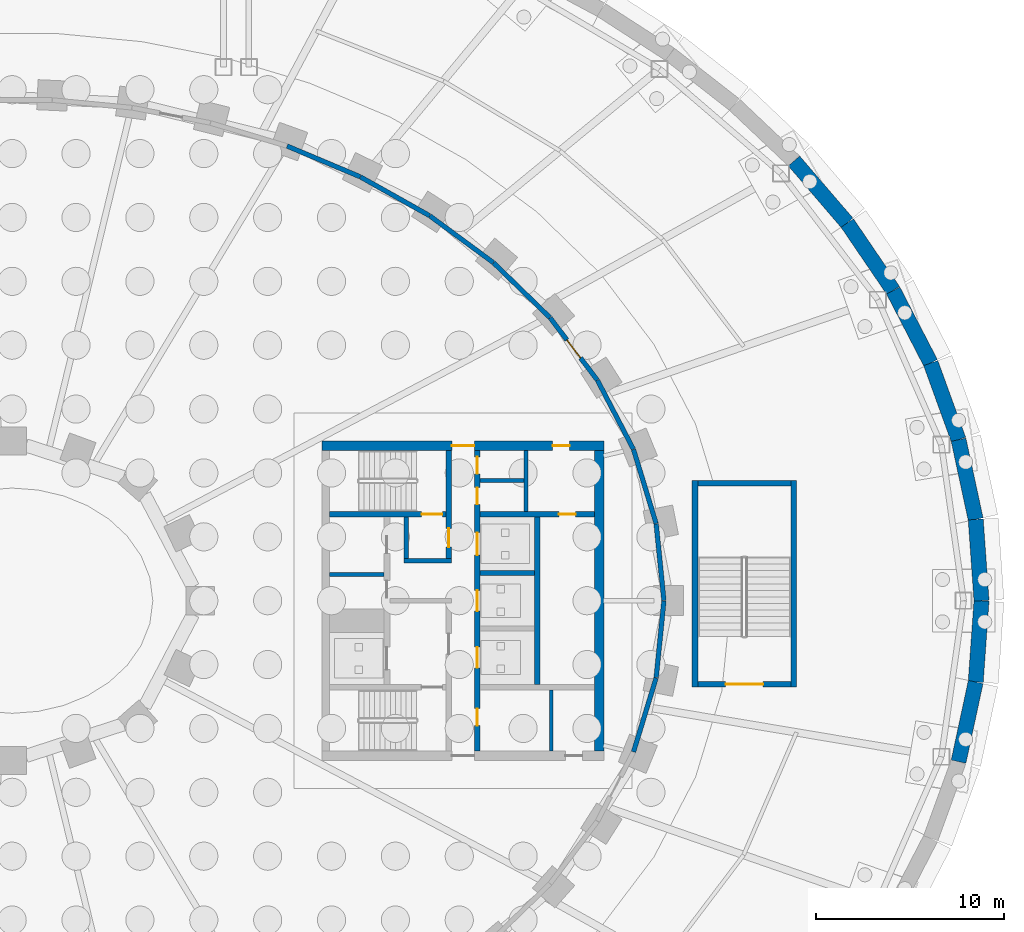
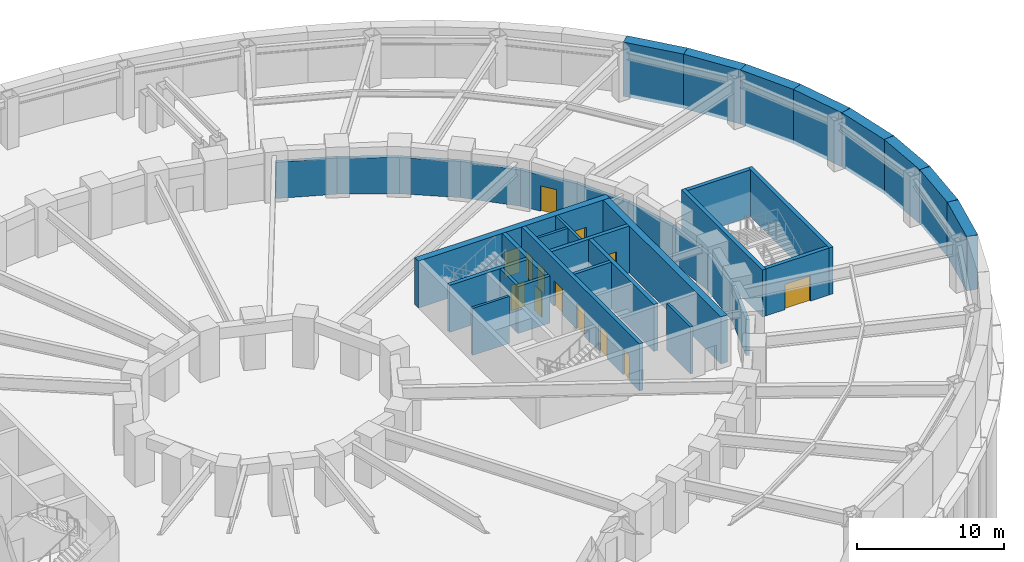
# One storey, part 14 of 19: 36 walls, 13 doors, 13 openings.
"""IFC4 building model written with IfcOpenShell, lengths in metres."""

from ifc_helpers import new_model, si_unit, direction, frame, frame_2d, origin, place, context, subcontext, project, spatial, rectangle, extrude, material, layer, layer_set, type_object, element, fill, save


model = new_model("IFC4")

# Units and contexts
model_context = context("Model", 3, precision=1e-05, world=origin(), true_north=direction((0.0, 1.0)))
body_context = subcontext(model_context, "Body", "Model", "MODEL_VIEW")
ifc_project = project(units=[si_unit("LENGTHUNIT", "METRE"), si_unit("AREAUNIT", "SQUARE_METRE"), si_unit("VOLUMEUNIT", "CUBIC_METRE"), si_unit("PLANEANGLEUNIT", "RADIAN"), si_unit("MASSUNIT", "GRAM", prefix="KILO")], contexts=[model_context])

# Site, building, storey
site_placement = place(None, origin())
site = spatial("IfcSite", under=ifc_project, at=site_placement, CompositionType="ELEMENT")
building_placement = place(site_placement, origin())
building = spatial("IfcBuilding", under=site, at=building_placement, Name="Noorbagh Ring Tower", CompositionType="ELEMENT")
storey_placement = place(building_placement, frame((0.0, 0.0, -8.39990234375)))
storey = spatial("IfcBuildingStorey", under=building, at=storey_placement, Name="B2", CompositionType="ELEMENT", Elevation=-8.39990234375)

# Walls
ifc_material_1 = material(Name="Gypsum board on steel studs", Category="steel")
ifc_layer_1 = layer(ifc_material_1, 0.199951171875)
ifc_layer_set_1 = layer_set([ifc_layer_1], Name="Gypsum board on steel studs")
wall_type_1 = type_object("IfcWallType", Name="CORE-PARTITION-200", PredefinedType="PARTITIONING", material=ifc_layer_set_1)
wall_1_placement = place(storey_placement, frame((16.89990234375, 1.39990234375, 0.0), z_axis=(0.0, 0.0, 1.0), x_axis=(1.0, 0.0, 0.0)))
element("IfcWall", 1, at=wall_1_placement, inside=storey, type_object=wall_type_1, Name="Core partition E", PredefinedType="PARTITIONING", context=body_context, shape_type="SweptSolid", body=[
    extrude(rectangle(XDim=2.900146484375, YDim=0.199951171875, at=frame_2d((1.4501953125, 0.0))), origin(), (0.0, 0.0, 1.0), 3.89990234375),
])
for number, where, z_axis, x_axis, name in (
    (2, (27.35009765625, 4.75, 0.0), (0.0, 0.0, 1.0), (0.0, 1.0, 0.0), "Core partition E"),
    (3, (28.699951171875, -8.0, 0.0), (0.0, 0.0, 1.0), (0.0, 1.0, 0.0), "Core partition E"),
):
    element("IfcWall", number, at=place(storey_placement, frame(where, z_axis=z_axis, x_axis=x_axis)), inside=storey, type_object=wall_type_1, Name=name, PredefinedType="PARTITIONING", context=body_context, shape_type="SweptSolid", body=[
        extrude(rectangle(XDim=3.25, YDim=0.199951171875, at=frame_2d((1.625, 0.0))), origin(), (0.0, 0.0, 1.0), 3.89990234375),
    ])
wall_2_placement = place(storey_placement, frame((24.89990234375, 6.39990234375, 0.0), z_axis=(0.0, 0.0, 1.0), x_axis=(1.0, 0.0, 0.0)))
element("IfcWall", 4, at=wall_2_placement, inside=storey, type_object=wall_type_1, Name="Core partition E", PredefinedType="PARTITIONING", context=body_context, shape_type="SweptSolid", body=[
    extrude(rectangle(XDim=2.35009765625, YDim=0.199951171875, at=frame_2d((1.175048828125, 0.0))), origin(), (0.0, 0.0, 1.0), 3.89990234375),
])
ifc_material_2 = material(Name="Concrete C70/85", Category="concrete")
ifc_layer_2 = layer(ifc_material_2, 0.25)
ifc_layer_set_2 = layer_set([ifc_layer_2], Name="Concrete C70/85")
wall_type_2 = type_object("IfcWallType", Name="CORE-WALL-250-C70-85-EI120", PredefinedType="SHEAR", material=ifc_layer_set_2)
wall_3_placement = place(storey_placement, frame((24.89990234375, 1.47509765625, 0.0), z_axis=(0.0, 0.0, 1.0), x_axis=(1.0, 0.0, 0.0)))
element("IfcWall", 5, at=wall_3_placement, inside=storey, type_object=wall_type_2, Name="Core wall E", PredefinedType="SHEAR", context=body_context, shape_type="SweptSolid", body=[
    extrude(rectangle(XDim=2.900146484375, YDim=0.25, at=frame_2d((1.4501953125, 0.0))), origin(), (0.0, 0.0, 1.0), 3.89990234375),
])
ifc_material_3 = material(Name="Concrete C70/85", Category="concrete")
ifc_layer_3 = layer(ifc_material_3, 0.25)
ifc_layer_set_3 = layer_set([ifc_layer_3], Name="Concrete C70/85")
wall_type_3 = type_object("IfcWallType", Name="CORE-WALL-250-C70-85-EI240", PredefinedType="SHEAR", material=ifc_layer_set_3)
wall_4_placement = place(storey_placement, frame((20.85009765625, 2.125, 0.0), z_axis=(0.0, 0.0, 1.0), x_axis=(1.0, 0.0, 0.0)))
element("IfcWall", 6, at=wall_4_placement, inside=storey, type_object=wall_type_3, Name="Core wall E", PredefinedType="SHEAR", context=body_context, shape_type="SweptSolid", body=[
    extrude(rectangle(XDim=2.52978515625, YDim=0.25, at=frame_2d((1.264892578125, 0.0))), origin(), (0.0, 0.0, 1.0), 3.89990234375),
])
wall_5_placement = place(storey_placement, frame((20.97509765625, 2.25, 0.0), z_axis=(0.0, 0.0, 1.0), x_axis=(0.0, 1.0, 0.0)))
element("IfcWall", 7, at=wall_5_placement, inside=storey, type_object=wall_type_3, Name="Core wall E", PredefinedType="SHEAR", context=body_context, shape_type="SweptSolid", body=[
    extrude(rectangle(XDim=2.199951171875, YDim=0.25, at=frame_2d((1.10009765625, 0.0))), origin(), (0.0, 0.0, 1.0), 3.89990234375),
])
ifc_material_4 = material(Name="Concrete C70/85", Category="concrete")
ifc_layer_4 = layer(ifc_material_4, 0.300048828125)
ifc_layer_set_4 = layer_set([ifc_layer_4], Name="Concrete C70/85")
wall_type_4 = type_object("IfcWallType", Name="CORE-WALL-300-C70-85-EI120", PredefinedType="SHEAR", material=ifc_layer_set_4)
wall_6_placement = place(storey_placement, frame((27.949951171875, -4.449951171875, 0.0), z_axis=(0.0, 0.0, 1.0), x_axis=(0.0, 1.0, 0.0)))
element("IfcWall", 8, at=wall_6_placement, inside=storey, type_object=wall_type_4, Name="Core wall E", PredefinedType="SHEAR", context=body_context, shape_type="SweptSolid", body=[
    extrude(rectangle(XDim=8.89990234375, YDim=0.300048828125, at=frame_2d((4.449951171875, 0.0))), origin(), (0.0, 0.0, 1.0), 3.89990234375),
])

# Wall, openings, doors
wall_7_placement = place(storey_placement, frame((24.75, -8.0, 0.0), z_axis=(0.0, 0.0, 1.0), x_axis=(0.0, 1.0, 0.0)))
wall_7 = element("IfcWall", 9, at=wall_7_placement, inside=storey, type_object=wall_type_4, Name="Core wall E", PredefinedType="SHEAR", context=body_context, shape_type="SweptSolid", body=[
    extrude(rectangle(XDim=16.0, YDim=0.300048828125, at=frame_2d((8.0, 0.0))), origin(), (0.0, 0.0, 1.0), 3.89990234375),
])
opening_1_placement = place(wall_7_placement, frame((4.425048828125, 0.0, 0.0)))
opening_1 = element("IfcOpeningElement", 10, at=opening_1_placement, cuts=wall_7, Name="Opening B2-CE02", PredefinedType="OPENING", context=body_context, shape_type="SweptSolid", body=[
    extrude(rectangle(XDim=1.10009765625, YDim=2.10009765625, at=frame_2d((0.550048828125, 1.050048828125))), frame((0.0, 0.16015625, 0.0), z_axis=(0.0, -1.0, 0.0), x_axis=(1.0, 0.0, 0.0)), (0.0, 0.0, 1.0), 0.320068359375),
])
opening_2_placement = place(wall_7_placement, frame((7.449951171875, 0.0, 0.0)))
opening_2 = element("IfcOpeningElement", 11, at=opening_2_placement, cuts=wall_7, Name="Opening B2-CE03", PredefinedType="OPENING", context=body_context, shape_type="SweptSolid", body=[
    extrude(rectangle(XDim=1.10009765625, YDim=2.10009765625, at=frame_2d((0.550048828125, 1.050048828125))), frame((0.0, 0.16015625, 0.0), z_axis=(0.0, -1.0, 0.0), x_axis=(1.0, 0.0, 0.0)), (0.0, 0.0, 1.0), 0.320068359375),
])
opening_3_placement = place(wall_7_placement, frame((10.425048828125, 0.0, 0.0)))
opening_3 = element("IfcOpeningElement", 12, at=opening_3_placement, cuts=wall_7, Name="Opening B2-CE04", PredefinedType="OPENING", context=body_context, shape_type="SweptSolid", body=[
    extrude(rectangle(XDim=1.199951171875, YDim=2.10009765625, at=frame_2d((0.60009765625, 1.050048828125))), frame((0.0, 0.16015625, 0.0), z_axis=(0.0, -1.0, 0.0), x_axis=(1.0, 0.0, 0.0)), (0.0, 0.0, 1.0), 0.320068359375),
])
opening_4_placement = place(wall_7_placement, frame((13.125, 0.0, 0.0)))
opening_4 = element("IfcOpeningElement", 13, at=opening_4_placement, cuts=wall_7, Name="Opening B2-CE13", PredefinedType="OPENING", context=body_context, shape_type="SweptSolid", body=[
    extrude(rectangle(XDim=0.89990234375, YDim=2.10009765625, at=frame_2d((0.449951171875, 1.050048828125))), frame((0.0, 0.16015625, 0.0), z_axis=(0.0, -1.0, 0.0), x_axis=(1.0, 0.0, 0.0)), (0.0, 0.0, 1.0), 0.320068359375),
])
opening_5_placement = place(wall_7_placement, frame((14.75, 0.0, 0.0)))
opening_5 = element("IfcOpeningElement", 14, at=opening_5_placement, cuts=wall_7, Name="Opening B2-CE14", PredefinedType="OPENING", context=body_context, shape_type="SweptSolid", body=[
    extrude(rectangle(XDim=0.89990234375, YDim=2.10009765625, at=frame_2d((0.449951171875, 1.050048828125))), frame((0.0, 0.16015625, 0.0), z_axis=(0.0, -1.0, 0.0), x_axis=(1.0, 0.0, 0.0)), (0.0, 0.0, 1.0), 0.320068359375),
])
opening_6_placement = place(wall_7_placement, frame((1.35009765625, 0.0, 0.0)))
opening_6 = element("IfcOpeningElement", 15, at=opening_6_placement, cuts=wall_7, Name="Opening B2-CE16", PredefinedType="OPENING", context=body_context, shape_type="SweptSolid", body=[
    extrude(rectangle(XDim=0.89990234375, YDim=2.10009765625, at=frame_2d((0.449951171875, 1.050048828125))), frame((0.0, 0.16015625, 0.0), z_axis=(0.0, -1.0, 0.0), x_axis=(1.0, 0.0, 0.0)), (0.0, 0.0, 1.0), 0.320068359375),
])
ifc_material_5 = material(Name="Steel door leaf", Category="steel")
door_type_1 = type_object("IfcDoorType", Name="CORE-DOOR-DROOM", OperationType="SINGLE_SWING_LEFT", PredefinedType="DOOR", material=ifc_material_5)
door_1_placement = place(opening_4_placement, origin())
door_1 = element("IfcDoor", 16, at=door_1_placement, inside=storey, type_object=door_type_1, Name="Core room door B2-CE13", OperationType="SINGLE_SWING_RIGHT", OverallHeight=2.10009765625, OverallWidth=0.89990234375, PredefinedType="DOOR", context=body_context, shape_type="SweptSolid", body=[
    extrude(rectangle(XDim=0.89990234375, YDim=2.10009765625, at=frame_2d((0.449951171875, 1.050048828125))), frame((0.0, 0.02490234375, 0.0), z_axis=(0.0, -1.0, 0.0), x_axis=(1.0, 0.0, 0.0)), (0.0, 0.0, 1.0), 0.050048828125),
])
fill(opening_4, door_1)
door_2_placement = place(opening_5_placement, origin())
door_2 = element("IfcDoor", 17, at=door_2_placement, inside=storey, type_object=door_type_1, Name="Core room door B2-CE14", OperationType="SINGLE_SWING_LEFT", OverallHeight=2.10009765625, OverallWidth=0.89990234375, PredefinedType="DOOR", context=body_context, shape_type="SweptSolid", body=[
    extrude(rectangle(XDim=0.89990234375, YDim=2.10009765625, at=frame_2d((0.449951171875, 1.050048828125))), frame((0.0, 0.02490234375, 0.0), z_axis=(0.0, -1.0, 0.0), x_axis=(1.0, 0.0, 0.0)), (0.0, 0.0, 1.0), 0.050048828125),
])
fill(opening_5, door_2)
door_3_placement = place(opening_6_placement, origin())
door_3 = element("IfcDoor", 18, at=door_3_placement, inside=storey, type_object=door_type_1, Name="Core room door B2-CE16", OperationType="SINGLE_SWING_RIGHT", OverallHeight=2.10009765625, OverallWidth=0.89990234375, PredefinedType="DOOR", context=body_context, shape_type="SweptSolid", body=[
    extrude(rectangle(XDim=0.89990234375, YDim=2.10009765625, at=frame_2d((0.449951171875, 1.050048828125))), frame((0.0, 0.02490234375, 0.0), z_axis=(0.0, -1.0, 0.0), x_axis=(1.0, 0.0, 0.0)), (0.0, 0.0, 1.0), 0.050048828125),
])
fill(opening_6, door_3)
ifc_material_6 = material(Name="Steel door leaf", Category="steel")
door_type_2 = type_object("IfcDoorType", Name="CORE-DOOR-LD", OperationType="DOUBLE_DOOR_SLIDING", PredefinedType="DOOR", material=ifc_material_6)
door_4_placement = place(opening_1_placement, origin())
door_4 = element("IfcDoor", 19, at=door_4_placement, inside=storey, type_object=door_type_2, Name="Landing door LR3 B2-CE02", OperationType="DOUBLE_DOOR_SLIDING", OverallHeight=2.10009765625, OverallWidth=1.10009765625, PredefinedType="DOOR", context=body_context, shape_type="SweptSolid", body=[
    extrude(rectangle(XDim=1.10009765625, YDim=2.10009765625, at=frame_2d((0.550048828125, 1.050048828125))), frame((0.0, 0.02490234375, 0.0), z_axis=(0.0, -1.0, 0.0), x_axis=(1.0, 0.0, 0.0)), (0.0, 0.0, 1.0), 0.050048828125),
])
fill(opening_1, door_4)
door_5_placement = place(opening_2_placement, origin())
door_5 = element("IfcDoor", 20, at=door_5_placement, inside=storey, type_object=door_type_2, Name="Landing door LR4 B2-CE03", OperationType="DOUBLE_DOOR_SLIDING", OverallHeight=2.10009765625, OverallWidth=1.10009765625, PredefinedType="DOOR", context=body_context, shape_type="SweptSolid", body=[
    extrude(rectangle(XDim=1.10009765625, YDim=2.10009765625, at=frame_2d((0.550048828125, 1.050048828125))), frame((0.0, 0.02490234375, 0.0), z_axis=(0.0, -1.0, 0.0), x_axis=(1.0, 0.0, 0.0)), (0.0, 0.0, 1.0), 0.050048828125),
])
fill(opening_2, door_5)
ifc_material_7 = material(Name="Steel door leaf", Category="steel")
door_type_3 = type_object("IfcDoorType", Name="CORE-DOOR-LDW", OperationType="DOUBLE_DOOR_SLIDING", PredefinedType="DOOR", material=ifc_material_7)
door_6_placement = place(opening_3_placement, origin())
door_6 = element("IfcDoor", 21, at=door_6_placement, inside=storey, type_object=door_type_3, Name="Landing door SV2 B2-CE04", OperationType="DOUBLE_DOOR_SLIDING", OverallHeight=2.10009765625, OverallWidth=1.199951171875, PredefinedType="DOOR", context=body_context, shape_type="SweptSolid", body=[
    extrude(rectangle(XDim=1.199951171875, YDim=2.10009765625, at=frame_2d((0.60009765625, 1.050048828125))), frame((0.0, 0.02490234375, 0.0), z_axis=(0.0, -1.0, 0.0), x_axis=(1.0, 0.0, 0.0)), (0.0, 0.0, 1.0), 0.050048828125),
])
fill(opening_3, door_6)

# Wall, opening, door
ifc_material_8 = material(Name="Concrete C70/85", Category="concrete")
ifc_layer_5 = layer(ifc_material_8, 0.300048828125)
ifc_layer_set_5 = layer_set([ifc_layer_5], Name="Concrete C70/85")
wall_type_5 = type_object("IfcWallType", Name="CORE-WALL-300-C70-85-EI240", PredefinedType="SHEAR", material=ifc_layer_set_5)
wall_8_placement = place(storey_placement, frame((24.89990234375, 4.60009765625, 0.0), z_axis=(0.0, 0.0, 1.0), x_axis=(1.0, 0.0, 0.0)))
wall_8 = element("IfcWall", 22, at=wall_8_placement, inside=storey, type_object=wall_type_5, Name="Core wall E", PredefinedType="SHEAR", context=body_context, shape_type="SweptSolid", body=[
    extrude(rectangle(XDim=6.10009765625, YDim=0.300048828125, at=frame_2d((3.050048828125, 0.0))), origin(), (0.0, 0.0, 1.0), 3.89990234375),
])
opening_7_placement = place(wall_8_placement, frame((4.199951171875, 0.0, 0.0)))
opening_7 = element("IfcOpeningElement", 23, at=opening_7_placement, cuts=wall_8, Name="Opening B2-CE18", PredefinedType="OPENING", context=body_context, shape_type="SweptSolid", body=[
    extrude(rectangle(XDim=0.89990234375, YDim=2.10009765625, at=frame_2d((0.449951171875, 1.050048828125))), frame((0.0, 0.16015625, 0.0), z_axis=(0.0, -1.0, 0.0), x_axis=(1.0, 0.0, 0.0)), (0.0, 0.0, 1.0), 0.320068359375),
])
door_7_placement = place(opening_7_placement, origin())
door_7 = element("IfcDoor", 24, at=door_7_placement, inside=storey, type_object=door_type_1, Name="Core room door B2-CE18", OperationType="SINGLE_SWING_RIGHT", OverallHeight=2.10009765625, OverallWidth=0.89990234375, PredefinedType="DOOR", context=body_context, shape_type="SweptSolid", body=[
    extrude(rectangle(XDim=0.89990234375, YDim=2.10009765625, at=frame_2d((0.449951171875, 1.050048828125))), frame((0.0, 0.02490234375, 0.0), z_axis=(0.0, -1.0, 0.0), x_axis=(1.0, 0.0, 0.0)), (0.0, 0.0, 1.0), 0.050048828125),
])
fill(opening_7, door_7)

wall_9_placement = place(storey_placement, frame((23.22998046875, 2.25, 0.0), z_axis=(0.0, 0.0, 1.0), x_axis=(0.0, 1.0, 0.0)))
wall_9 = element("IfcWall", 25, at=wall_9_placement, inside=storey, type_object=wall_type_5, Name="Core wall E", PredefinedType="SHEAR", context=body_context, shape_type="SweptSolid", body=[
    extrude(rectangle(XDim=5.75, YDim=0.300048828125, at=frame_2d((2.875, 0.0))), origin(), (0.0, 0.0, 1.0), 3.89990234375),
])
opening_8_placement = place(wall_9_placement, frame((0.60009765625, 0.0, 0.0)))
opening_8 = element("IfcOpeningElement", 26, at=opening_8_placement, cuts=wall_9, Name="Opening B2-CE08", PredefinedType="OPENING", context=body_context, shape_type="SweptSolid", body=[
    extrude(rectangle(XDim=1.0, YDim=2.10009765625, at=frame_2d((0.5, 1.050048828125))), frame((0.0, 0.16015625, 0.0), z_axis=(0.0, -1.0, 0.0), x_axis=(1.0, 0.0, 0.0)), (0.0, 0.0, 1.0), 0.320068359375),
])
ifc_material_9 = material(Name="Steel door leaf", Category="steel")
door_type_4 = type_object("IfcDoorType", Name="CORE-DOOR-DVEST", OperationType="SINGLE_SWING_LEFT", PredefinedType="DOOR", material=ifc_material_9)
door_8_placement = place(opening_8_placement, origin())
door_8 = element("IfcDoor", 27, at=door_8_placement, inside=storey, type_object=door_type_4, Name="Stair vestibule door B2-CE08", OperationType="SINGLE_SWING_RIGHT", OverallHeight=2.10009765625, OverallWidth=1.0, PredefinedType="DOOR", context=body_context, shape_type="SweptSolid", body=[
    extrude(rectangle(XDim=1.0, YDim=2.10009765625, at=frame_2d((0.5, 1.050048828125))), frame((0.0, 0.02490234375, 0.0), z_axis=(0.0, -1.0, 0.0), x_axis=(1.0, 0.0, 0.0)), (0.0, 0.0, 1.0), 0.050048828125),
])
fill(opening_8, door_8)

wall_10_placement = place(storey_placement, frame((16.89990234375, 4.60009765625, 0.0), z_axis=(0.0, 0.0, 1.0), x_axis=(1.0, 0.0, 0.0)))
wall_10 = element("IfcWall", 28, at=wall_10_placement, inside=storey, type_object=wall_type_5, Name="Core wall E", PredefinedType="SHEAR", context=body_context, shape_type="SweptSolid", body=[
    extrude(rectangle(XDim=6.18017578125, YDim=0.300048828125, at=frame_2d((3.090087890625, 0.0))), origin(), (0.0, 0.0, 1.0), 3.89990234375),
])
opening_9_placement = place(wall_10_placement, frame((4.89990234375, 0.0, 0.0)))
opening_9 = element("IfcOpeningElement", 29, at=opening_9_placement, cuts=wall_10, Name="Opening B2-CE05", PredefinedType="OPENING", context=body_context, shape_type="SweptSolid", body=[
    extrude(rectangle(XDim=1.10009765625, YDim=2.10009765625, at=frame_2d((0.550048828125, 1.050048828125))), frame((0.0, 0.16015625, 0.0), z_axis=(0.0, -1.0, 0.0), x_axis=(1.0, 0.0, 0.0)), (0.0, 0.0, 1.0), 0.320068359375),
])
ifc_material_10 = material(Name="Steel door leaf", Category="steel")
door_type_5 = type_object("IfcDoorType", Name="CORE-DOOR-DSTAIR", OperationType="SINGLE_SWING_LEFT", PredefinedType="DOOR", material=ifc_material_10)
door_9_placement = place(opening_9_placement, origin())
door_9 = element("IfcDoor", 30, at=door_9_placement, inside=storey, type_object=door_type_5, Name="Stair door ST3 B2-CE05", OperationType="SINGLE_SWING_LEFT", OverallHeight=2.10009765625, OverallWidth=1.10009765625, PredefinedType="DOOR", context=body_context, shape_type="SweptSolid", body=[
    extrude(rectangle(XDim=1.10009765625, YDim=2.10009765625, at=frame_2d((0.550048828125, 1.050048828125))), frame((0.0, 0.02490234375, 0.0), z_axis=(0.0, -1.0, 0.0), x_axis=(1.0, 0.0, 0.0)), (0.0, 0.0, 1.0), 0.050048828125),
])
fill(opening_9, door_9)

# Wall, openings, doors
ifc_material_11 = material(Name="Concrete C70/85", Category="concrete")
ifc_layer_6 = layer(ifc_material_11, 0.5)
ifc_layer_set_6 = layer_set([ifc_layer_6], Name="Concrete C70/85")
wall_type_6 = type_object("IfcWallType", Name="CORE-WALL-500-C70-85-EI240", PredefinedType="SHEAR", material=ifc_layer_set_6)
wall_11_placement = place(storey_placement, frame((16.5, 8.25, 0.0), z_axis=(0.0, 0.0, 1.0), x_axis=(1.0, 0.0, 0.0)))
wall_11 = element("IfcWall", 31, at=wall_11_placement, inside=storey, type_object=wall_type_6, Name="Core wall E", PredefinedType="SHEAR", context=body_context, shape_type="SweptSolid", body=[
    extrude(rectangle(XDim=15.0, YDim=0.5, at=frame_2d((7.5, 0.0))), origin(), (0.0, 0.0, 1.0), 3.89990234375),
])
opening_10_placement = place(wall_11_placement, frame((6.89990234375, 0.0, 0.0)))
opening_10 = element("IfcOpeningElement", 32, at=opening_10_placement, cuts=wall_11, Name="Opening B2-CE09", PredefinedType="OPENING", context=body_context, shape_type="SweptSolid", body=[
    extrude(rectangle(XDim=1.199951171875, YDim=2.10009765625, at=frame_2d((0.60009765625, 1.050048828125))), frame((0.0, 0.260009765625, 0.0), z_axis=(0.0, -1.0, 0.0), x_axis=(1.0, 0.0, 0.0)), (0.0, 0.0, 1.0), 0.52001953125),
])
opening_11_placement = place(wall_11_placement, frame((12.27490234375, 0.0, 0.0)))
opening_11 = element("IfcOpeningElement", 33, at=opening_11_placement, cuts=wall_11, Name="Opening B2-CE15", PredefinedType="OPENING", context=body_context, shape_type="SweptSolid", body=[
    extrude(rectangle(XDim=0.89990234375, YDim=2.10009765625, at=frame_2d((0.449951171875, 1.050048828125))), frame((0.0, 0.260009765625, 0.0), z_axis=(0.0, -1.0, 0.0), x_axis=(1.0, 0.0, 0.0)), (0.0, 0.0, 1.0), 0.52001953125),
])
door_10_placement = place(opening_11_placement, origin())
door_10 = element("IfcDoor", 34, at=door_10_placement, inside=storey, type_object=door_type_1, Name="Core room door B2-CE15", OperationType="SINGLE_SWING_LEFT", OverallHeight=2.10009765625, OverallWidth=0.89990234375, PredefinedType="DOOR", context=body_context, shape_type="SweptSolid", body=[
    extrude(rectangle(XDim=0.89990234375, YDim=2.10009765625, at=frame_2d((0.449951171875, 1.050048828125))), frame((0.0, 0.02490234375, 0.0), z_axis=(0.0, -1.0, 0.0), x_axis=(1.0, 0.0, 0.0)), (0.0, 0.0, 1.0), 0.050048828125),
])
fill(opening_11, door_10)
ifc_material_12 = material(Name="Steel door leaf", Category="steel")
door_type_6 = type_object("IfcDoorType", Name="CORE-DOOR-PORT", OperationType="DOUBLE_DOOR_DOUBLE_SWING", PredefinedType="DOOR", material=ifc_material_12)
door_11_placement = place(opening_10_placement, origin())
door_11 = element("IfcDoor", 35, at=door_11_placement, inside=storey, type_object=door_type_6, Name="Core entrance door B2-CE09", OperationType="DOUBLE_DOOR_DOUBLE_SWING", OverallHeight=2.10009765625, OverallWidth=1.199951171875, PredefinedType="DOOR", context=body_context, shape_type="SweptSolid", body=[
    extrude(rectangle(XDim=1.199951171875, YDim=2.10009765625, at=frame_2d((0.60009765625, 1.050048828125))), frame((0.0, 0.02490234375, 0.0), z_axis=(0.0, -1.0, 0.0), x_axis=(1.0, 0.0, 0.0)), (0.0, 0.0, 1.0), 0.050048828125),
])
fill(opening_10, door_11)

# Walls
wall_12_placement = place(storey_placement, frame((31.25, -8.0, 0.0), z_axis=(0.0, 0.0, 1.0), x_axis=(0.0, 1.0, 0.0)))
element("IfcWall", 36, at=wall_12_placement, inside=storey, type_object=wall_type_6, Name="Core wall E", PredefinedType="SHEAR", context=body_context, shape_type="SweptSolid", body=[
    extrude(rectangle(XDim=16.0, YDim=0.5, at=frame_2d((8.0, 0.0))), origin(), (0.0, 0.0, 1.0), 3.89990234375),
])
ifc_material_13 = material(Name="Concrete C60/75", Category="concrete")
ifc_layer_7 = layer(ifc_material_13, 0.300048828125)
ifc_layer_set_7 = layer_set([ifc_layer_7], Name="Concrete C60/75")
wall_type_7 = type_object("IfcWallType", Name="GND-STAIR-WALL", PredefinedType="SHEAR", material=ifc_layer_set_7)
for number, where, z_axis, x_axis, name in (
    (37, (36.35009765625, -4.60009765625, 0.0), (0.0, 0.0, 1.0), (0.0, 1.0, 0.0), "Exit stair ST-P2 wall"),
    (38, (41.60009765625, -4.60009765625, 0.0), (0.0, 0.0, 1.0), (0.0, 1.0, 0.0), "Exit stair ST-P2 wall"),
):
    element("IfcWall", number, at=place(storey_placement, frame(where, z_axis=z_axis, x_axis=x_axis)), inside=storey, type_object=wall_type_7, Name=name, PredefinedType="SHEAR", context=body_context, shape_type="SweptSolid", body=[
        extrude(rectangle(XDim=11.0, YDim=0.300048828125, at=frame_2d((5.5, 0.0))), origin(), (0.0, 0.0, 1.0), 3.89990234375),
    ])

# Wall, opening, door
wall_13_placement = place(storey_placement, frame((36.5, -4.449951171875, 0.0), z_axis=(0.0, 0.0, 1.0), x_axis=(1.0, 0.0, 0.0)))
wall_13 = element("IfcWall", 39, at=wall_13_placement, inside=storey, type_object=wall_type_7, Name="Exit stair ST-P2 wall", PredefinedType="SHEAR", context=body_context, shape_type="SweptSolid", body=[
    extrude(rectangle(XDim=4.949951171875, YDim=0.300048828125, at=frame_2d((2.47509765625, 0.0))), origin(), (0.0, 0.0, 1.0), 3.89990234375),
])
opening_12_placement = place(wall_13_placement, frame((1.47509765625, 0.0, 0.0)))
opening_12 = element("IfcOpeningElement", 40, at=opening_12_placement, cuts=wall_13, Name="Opening GD17", PredefinedType="OPENING", context=body_context, shape_type="SweptSolid", body=[
    extrude(rectangle(XDim=2.0, YDim=2.10009765625, at=frame_2d((1.0, 1.050048828125))), frame((0.0, 0.16015625, 0.0), z_axis=(0.0, -1.0, 0.0), x_axis=(1.0, 0.0, 0.0)), (0.0, 0.0, 1.0), 0.320068359375),
])
ifc_material_14 = material(Name="Steel", Category="steel")
door_type_7 = type_object("IfcDoorType", Name="GND-STAIR-DOOR", OperationType="DOUBLE_DOOR_SINGLE_SWING", PredefinedType="DOOR", material=ifc_material_14)
door_12_placement = place(opening_12_placement, origin())
door_12 = element("IfcDoor", 41, at=door_12_placement, inside=storey, type_object=door_type_7, Name="Exit stair ST-P2 door", OperationType="DOUBLE_DOOR_SINGLE_SWING", OverallHeight=2.10009765625, OverallWidth=2.0, PredefinedType="DOOR", context=body_context, shape_type="SweptSolid", body=[
    extrude(rectangle(XDim=2.0, YDim=2.10009765625, at=frame_2d((1.0, 1.050048828125))), frame((0.0, 0.02490234375, 0.0), z_axis=(0.0, -1.0, 0.0), x_axis=(1.0, 0.0, 0.0)), (0.0, 0.0, 1.0), 0.050048828125),
])
fill(opening_12, door_12)

# Walls
wall_14_placement = place(storey_placement, frame((36.5, 6.25, 0.0), z_axis=(0.0, 0.0, 1.0), x_axis=(1.0, 0.0, 0.0)))
element("IfcWall", 42, at=wall_14_placement, inside=storey, type_object=wall_type_7, Name="Exit stair ST-P2 wall", PredefinedType="SHEAR", context=body_context, shape_type="SweptSolid", body=[
    extrude(rectangle(XDim=4.949951171875, YDim=0.300048828125, at=frame_2d((2.47509765625, 0.0))), origin(), (0.0, 0.0, 1.0), 3.89990234375),
])
ifc_material_15 = material(Name="Concrete C40/50", Category="concrete")
ifc_layer_8 = layer(ifc_material_15, 0.25)
ifc_layer_set_8 = layer_set([ifc_layer_8], Name="Concrete C40/50")
wall_type_8 = type_object("IfcWallType", Name="GND-WALL-RING", PredefinedType="SOLIDWALL", material=ifc_layer_set_8)
wall_15_placement = place(storey_placement, frame((34.6923828125, 0.009033203125, 0.0), z_axis=(0.0, 0.0, 1.0), x_axis=(-0.100122163244, 0.994975151663, 0.0)))
element("IfcWall", 43, at=wall_15_placement, inside=storey, type_object=wall_type_8, Name="Tower basement fire wall", PredefinedType="SOLIDWALL", context=body_context, shape_type="SweptSolid", body=[
    extrude(rectangle(XDim=4.103759765625, YDim=0.25, at=frame_2d((2.0517578125, 0.0))), origin(), (0.0, 0.0, 1.0), 3.0),
])
wall_16_placement = place(storey_placement, frame((34.27783203125, 4.10986328125, 0.0), z_axis=(0.0, 0.0, 1.0), x_axis=(-0.292171812712, 0.956365846241, 0.0)))
element("IfcWall", 44, at=wall_16_placement, inside=storey, type_object=wall_type_8, Name="Tower basement fire wall", PredefinedType="SOLIDWALL", context=body_context, shape_type="SweptSolid", body=[
    extrude(rectangle(XDim=4.115478515625, YDim=0.25, at=frame_2d((2.0576171875, 0.0))), origin(), (0.0, 0.0, 1.0), 3.0),
])
wall_17_placement = place(storey_placement, frame((33.068603515625, 8.062255859375, 0.0), z_axis=(0.0, 0.0, 1.0), x_axis=(-0.462265314279, 0.886741664305, 0.0)))
element("IfcWall", 45, at=wall_17_placement, inside=storey, type_object=wall_type_8, Name="Tower basement fire wall", PredefinedType="SOLIDWALL", context=body_context, shape_type="SweptSolid", body=[
    extrude(rectangle(XDim=4.134765625, YDim=0.25, at=frame_2d((2.0673828125, 0.0))), origin(), (0.0, 0.0, 1.0), 3.0),
])

# Wall, opening, door
wall_18_placement = place(storey_placement, frame((31.147705078125, 11.743896484375, 0.0), z_axis=(0.0, 0.0, 1.0), x_axis=(-0.604041965907, 0.796952510143, 0.0)))
wall_18 = element("IfcWall", 46, at=wall_18_placement, inside=storey, type_object=wall_type_8, Name="Tower basement fire wall", PredefinedType="SOLIDWALL", context=body_context, shape_type="SweptSolid", body=[
    extrude(rectangle(XDim=4.157470703125, YDim=0.25, at=frame_2d((2.07861328125, 0.0))), origin(), (0.0, 0.0, 1.0), 3.0),
])
opening_13_placement = place(wall_18_placement, frame((1.478759765625, 0.0, 0.0)))
opening_13 = element("IfcOpeningElement", 47, at=opening_13_placement, cuts=wall_18, Name="Opening GD4", PredefinedType="OPENING", context=body_context, shape_type="SweptSolid", body=[
    extrude(rectangle(XDim=1.199951171875, YDim=2.10009765625, at=frame_2d((0.60009765625, 1.050048828125))), frame((0.0, 0.135009765625, 0.0), z_axis=(0.0, -1.0, 0.0), x_axis=(1.0, 0.0, 0.0)), (0.0, 0.0, 1.0), 0.27001953125),
])
ifc_material_16 = material(Name="Steel", Category="steel")
door_type_8 = type_object("IfcDoorType", Name="GND-DOOR-RING", OperationType="DOUBLE_DOOR_SINGLE_SWING", PredefinedType="DOOR", material=ifc_material_16)
door_13_placement = place(opening_13_placement, origin())
door_13 = element("IfcDoor", 48, at=door_13_placement, inside=storey, type_object=door_type_8, Name="Tower basement door", OperationType="DOUBLE_DOOR_SINGLE_SWING", OverallHeight=2.10009765625, OverallWidth=1.199951171875, PredefinedType="DOOR", context=body_context, shape_type="SweptSolid", body=[
    extrude(rectangle(XDim=1.199951171875, YDim=2.10009765625, at=frame_2d((0.60009765625, 1.050048828125))), frame((0.0, 0.02490234375, 0.0), z_axis=(0.0, -1.0, 0.0), x_axis=(1.0, 0.0, 0.0)), (0.0, 0.0, 1.0), 0.050048828125),
])
fill(opening_13, door_13)

# Walls
wall_19_placement = place(storey_placement, frame((28.62451171875, 15.07080078125, 0.0), z_axis=(0.0, 0.0, 1.0), x_axis=(-0.717227656803, 0.696838925661, 0.0)))
element("IfcWall", 49, at=wall_19_placement, inside=storey, type_object=wall_type_8, Name="Tower basement fire wall", PredefinedType="SOLIDWALL", context=body_context, shape_type="SweptSolid", body=[
    extrude(rectangle(XDim=4.178955078125, YDim=0.25, at=frame_2d((2.08935546875, 0.0))), origin(), (0.0, 0.0, 1.0), 3.0),
])
wall_20_placement = place(storey_placement, frame((25.613525390625, 17.994384765625, 0.0), z_axis=(0.0, 0.0, 1.0), x_axis=(-0.805155221937, 0.593064135306, 0.0)))
element("IfcWall", 50, at=wall_20_placement, inside=storey, type_object=wall_type_8, Name="Tower basement fire wall", PredefinedType="SOLIDWALL", context=body_context, shape_type="SweptSolid", body=[
    extrude(rectangle(XDim=4.197998046875, YDim=0.25, at=frame_2d((2.09912109375, 0.0))), origin(), (0.0, 0.0, 1.0), 3.0),
])
wall_21_placement = place(storey_placement, frame((22.218505859375, 20.493896484375, 0.0), z_axis=(0.0, 0.0, 1.0), x_axis=(-0.872061015455, 0.489397165218, 0.0)))
element("IfcWall", 51, at=wall_21_placement, inside=storey, type_object=wall_type_8, Name="Tower basement fire wall", PredefinedType="SOLIDWALL", context=body_context, shape_type="SweptSolid", body=[
    extrude(rectangle(XDim=4.21337890625, YDim=0.25, at=frame_2d((2.106689453125, 0.0))), origin(), (0.0, 0.0, 1.0), 3.0),
])
wall_22_placement = place(storey_placement, frame((18.528076171875, 22.56396484375, 0.0), z_axis=(0.0, 0.0, 1.0), x_axis=(-0.921810386469, 0.387641085798, 0.0)))
element("IfcWall", 52, at=wall_22_placement, inside=storey, type_object=wall_type_8, Name="Tower basement fire wall", PredefinedType="SOLIDWALL", context=body_context, shape_type="SweptSolid", body=[
    extrude(rectangle(XDim=4.225341796875, YDim=0.25, at=frame_2d((2.11279296875, 0.0))), origin(), (0.0, 0.0, 1.0), 3.0),
])
wall_23_placement = place(storey_placement, frame((33.075439453125, -8.045654296875, 0.0), z_axis=(0.0, 0.0, 1.0), x_axis=(0.292171812712, 0.956365846241, 0.0)))
element("IfcWall", 53, at=wall_23_placement, inside=storey, type_object=wall_type_8, Name="Tower basement fire wall", PredefinedType="SOLIDWALL", context=body_context, shape_type="SweptSolid", body=[
    extrude(rectangle(XDim=4.115478515625, YDim=0.25, at=frame_2d((2.0576171875, 0.0))), origin(), (0.0, 0.0, 1.0), 3.0),
])
wall_24_placement = place(storey_placement, frame((34.281494140625, -4.09228515625, 0.0), z_axis=(0.0, 0.0, 1.0), x_axis=(0.100122163244, 0.994975151663, 0.0)))
element("IfcWall", 54, at=wall_24_placement, inside=storey, type_object=wall_type_8, Name="Tower basement fire wall", PredefinedType="SOLIDWALL", context=body_context, shape_type="SweptSolid", body=[
    extrude(rectangle(XDim=4.103759765625, YDim=0.25, at=frame_2d((2.0517578125, 0.0))), origin(), (0.0, 0.0, 1.0), 3.0),
])
ifc_material_17 = material(Name="Concrete C40/50", Category="concrete")
ifc_layer_9 = layer(ifc_material_17, 0.800048828125)
ifc_layer_set_9 = layer_set([ifc_layer_9], Name="Concrete C40/50")
wall_type_9 = type_object("IfcWallType", Name="STR-RETAINING-WALL", PredefinedType="SOLIDWALL", material=ifc_layer_set_9)
wall_25_placement = place(storey_placement, frame((51.59912109375, 0.0, -0.300048828125), z_axis=(0.0, 0.0, 1.0), x_axis=(-0.071315050824, 0.997453840298, 0.0)))
element("IfcWall", 55, at=wall_25_placement, inside=storey, type_object=wall_type_9, Name="B2/retwall/01", PredefinedType="SOLIDWALL", context=body_context, shape_type="SweptSolid", body=[
    extrude(rectangle(XDim=4.33740234375, YDim=0.800048828125, at=frame_2d((2.168701171875, 0.0))), origin(), (0.0, 0.0, 1.0), 4.5),
])
wall_26_placement = place(storey_placement, frame((51.289794921875, 4.326416015625, -0.300048828125), z_axis=(0.0, 0.0, 1.0), x_axis=(-0.210616468766, 0.977568771537, 0.0)))
element("IfcWall", 56, at=wall_26_placement, inside=storey, type_object=wall_type_9, Name="B2/retwall/02", PredefinedType="SOLIDWALL", context=body_context, shape_type="SweptSolid", body=[
    extrude(rectangle(XDim=4.3388671875, YDim=0.800048828125, at=frame_2d((2.16943359375, 0.0))), origin(), (0.0, 0.0, 1.0), 4.5),
])
wall_27_placement = place(storey_placement, frame((50.3759765625, 8.56787109375, -0.300048828125), z_axis=(0.0, 0.0, 1.0), x_axis=(-0.341286990045, 0.939959142956, 0.0)))
element("IfcWall", 57, at=wall_27_placement, inside=storey, type_object=wall_type_9, Name="B2/retwall/03", PredefinedType="SOLIDWALL", context=body_context, shape_type="SweptSolid", body=[
    extrude(rectangle(XDim=4.341552734375, YDim=0.800048828125, at=frame_2d((2.1708984375, 0.0))), origin(), (0.0, 0.0, 1.0), 4.5),
])
wall_28_placement = place(storey_placement, frame((48.894287109375, 12.648681640625, -0.300048828125), z_axis=(0.0, 0.0, 1.0), x_axis=(-0.459242531468, 0.888310923771, 0.0)))
element("IfcWall", 58, at=wall_28_placement, inside=storey, type_object=wall_type_9, Name="B2/retwall/04", PredefinedType="SOLIDWALL", context=body_context, shape_type="SweptSolid", body=[
    extrude(rectangle(XDim=4.344970703125, YDim=0.800048828125, at=frame_2d((2.17236328125, 0.0))), origin(), (0.0, 0.0, 1.0), 4.5),
])
wall_29_placement = place(storey_placement, frame((46.89892578125, 16.50830078125, -0.300048828125), z_axis=(0.0, 0.0, 1.0), x_axis=(-0.562667738859, 0.82668314102, 0.0)))
element("IfcWall", 59, at=wall_29_placement, inside=storey, type_object=wall_type_9, Name="B2/retwall/05", PredefinedType="SOLIDWALL", context=body_context, shape_type="SweptSolid", body=[
    extrude(rectangle(XDim=4.348876953125, YDim=0.800048828125, at=frame_2d((2.17431640625, 0.0))), origin(), (0.0, 0.0, 1.0), 4.5),
])
wall_30_placement = place(storey_placement, frame((44.451904296875, 20.103515625, -0.300048828125), z_axis=(0.0, 0.0, 1.0), x_axis=(-0.651387059497, 0.758745608699, 0.0)))
element("IfcWall", 60, at=wall_30_placement, inside=storey, type_object=wall_type_9, Name="B2/retwall/06", PredefinedType="SOLIDWALL", context=body_context, shape_type="SweptSolid", body=[
    extrude(rectangle(XDim=4.3525390625, YDim=0.800048828125, at=frame_2d((2.17626953125, 0.0))), origin(), (0.0, 0.0, 1.0), 4.5),
])
wall_31_placement = place(storey_placement, frame((50.3759765625, -8.56787109375, -0.300048828125), z_axis=(0.0, 0.0, 1.0), x_axis=(0.210616468766, 0.977568771537, 0.0)))
element("IfcWall", 61, at=wall_31_placement, inside=storey, type_object=wall_type_9, Name="B2/retwall/65", PredefinedType="SOLIDWALL", context=body_context, shape_type="SweptSolid", body=[
    extrude(rectangle(XDim=4.3388671875, YDim=0.800048828125, at=frame_2d((2.16943359375, 0.0))), origin(), (0.0, 0.0, 1.0), 4.5),
])
wall_32_placement = place(storey_placement, frame((51.289794921875, -4.326416015625, -0.300048828125), z_axis=(0.0, 0.0, 1.0), x_axis=(0.071315050824, 0.997453840298, 0.0)))
element("IfcWall", 62, at=wall_32_placement, inside=storey, type_object=wall_type_9, Name="B2/retwall/66", PredefinedType="SOLIDWALL", context=body_context, shape_type="SweptSolid", body=[
    extrude(rectangle(XDim=4.33740234375, YDim=0.800048828125, at=frame_2d((2.168701171875, 0.0))), origin(), (0.0, 0.0, 1.0), 4.5),
])

save(model, "model.ifc")
